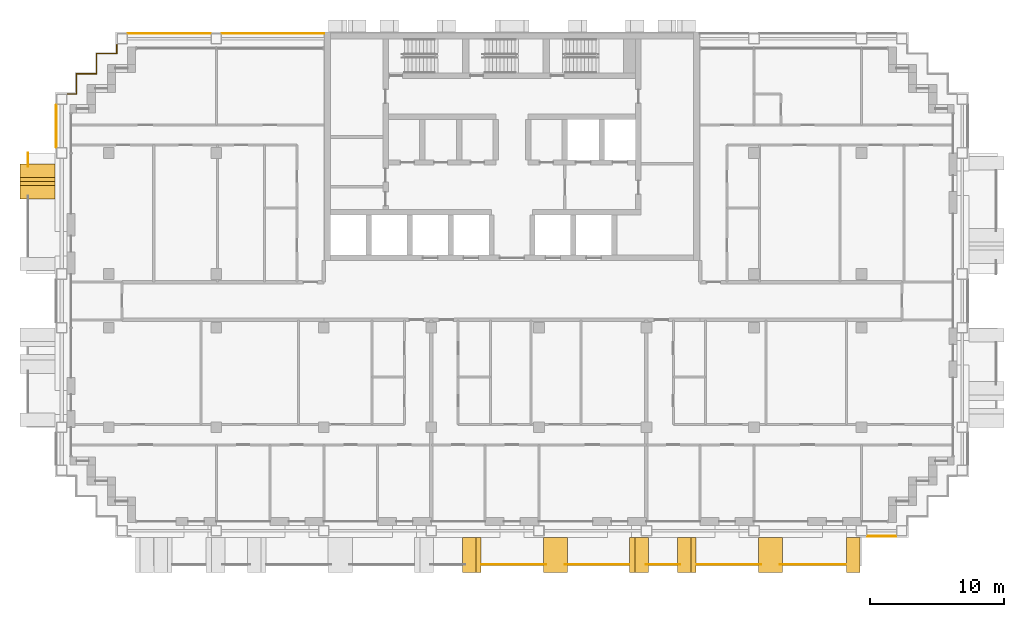
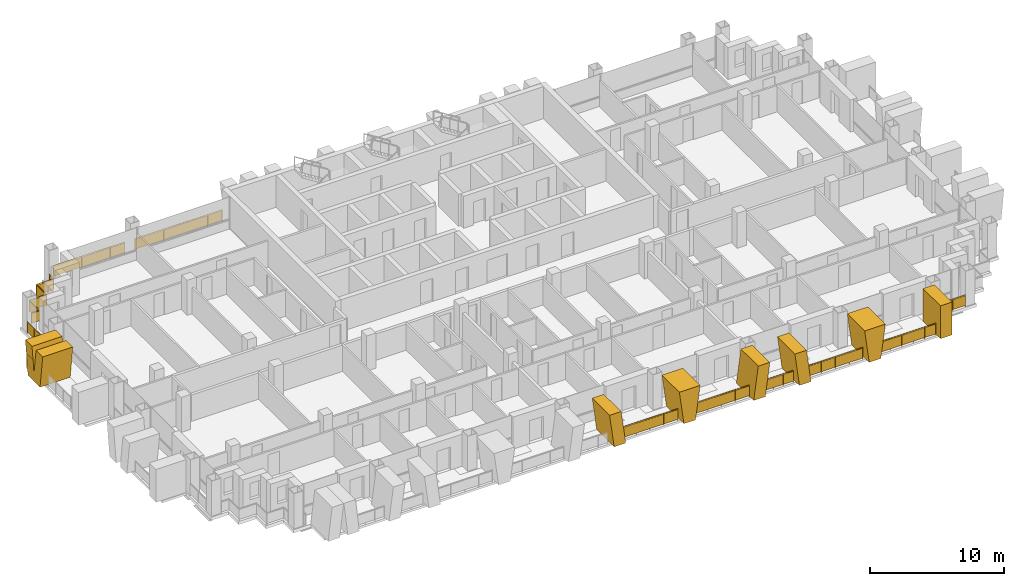
# One storey, part 14 of 16: 11 railings, 7 shading devices.
"""IFC4 building model written with IfcOpenShell, lengths in metres."""

from ifc_helpers import new_model, si_unit, direction, frame, origin, origin_2d, place, context, subcontext, project, spatial, polyline, rectangle, circle, outline, extrude, material, layer, layer_set, type_object, element, save


model = new_model("IFC4")

# Units and contexts
model_context = context("Model", 3, precision=1e-05, world=origin(), true_north=direction((0.0, 1.0)))
body_context = subcontext(model_context, "Body", "Model", "MODEL_VIEW")
ifc_project = project(units=[si_unit("LENGTHUNIT", "METRE"), si_unit("AREAUNIT", "SQUARE_METRE"), si_unit("VOLUMEUNIT", "CUBIC_METRE"), si_unit("PLANEANGLEUNIT", "RADIAN"), si_unit("MASSUNIT", "GRAM", prefix="KILO")], contexts=[model_context])

# Site, building, storey
site_placement = place(None, origin())
site = spatial("IfcSite", under=ifc_project, at=site_placement, CompositionType="ELEMENT")
building_placement = place(site_placement, origin())
building = spatial("IfcBuilding", under=site, at=building_placement, Name="Vidyagriha Tower", CompositionType="ELEMENT")
storey_placement = place(building_placement, frame((0.0, 0.0, 135.800048828125)))
storey = spatial("IfcBuildingStorey", under=building, at=storey_placement, Name="L35", CompositionType="ELEMENT", Elevation=135.800048828125)

# Railings
ifc_material_1 = material(Name="Steel ASTM A500 Grade C black painted", Category="steel")
railing_type_1 = type_object("IfcRailingType", Name="Balcony guard 1100", PredefinedType="BALUSTRADE", material=ifc_material_1)
railing_1_placement = place(storey_placement, frame((-36.0, 11.0, 0.0)))
element("IfcRailing", 1, at=railing_1_placement, inside=storey, type_object=railing_type_1, Name="Balcony guard L35 R16.1-1", PredefinedType="BALUSTRADE", context=body_context, shape_type="SweptSolid", body=[
    extrude(circle(Radius=0.02490234375, at=origin_2d()), frame((0.0, 0.0, 1.0751953125), z_axis=(0.0, -1.0, 0.0), x_axis=(1.0, 0.0, 0.0)), (0.0, 0.0, 1.0), 0.99658203125),
    extrude(circle(Radius=0.02001953125, at=origin_2d()), origin(), (0.0, 0.0, 1.0), 1.050048828125),
    extrude(circle(Radius=0.02001953125, at=origin_2d()), frame((0.0, -0.99658203125, 0.0)), (0.0, 0.0, 1.0), 1.050048828125),
    extrude(rectangle(XDim=0.010009765625, YDim=0.900146484375, at=origin_2d()), frame((0.0, 0.0, 0.550048828125), z_axis=(0.0, -1.0, 0.0), x_axis=(1.0, 0.0, 0.0)), (0.0, 0.0, 1.0), 0.99658203125),
])
railing_2_placement = place(storey_placement, frame((-2.25, -19.60009765625, 0.0)))
element("IfcRailing", 2, at=railing_2_placement, inside=storey, type_object=railing_type_1, Name="Balcony guard L35 R23.1-6", PredefinedType="BALUSTRADE", context=body_context, shape_type="SweptSolid", body=[
    extrude(circle(Radius=0.02490234375, at=origin_2d()), frame((0.0, 0.0, 1.0751953125), z_axis=(1.0, 0.0, 0.0), x_axis=(0.0, 1.0, 0.0)), (0.0, 0.0, 1.0), 4.773681640625),
    extrude(circle(Radius=0.02001953125, at=origin_2d()), origin(), (0.0, 0.0, 1.0), 1.050048828125),
    extrude(circle(Radius=0.02001953125, at=origin_2d()), frame((1.193359375, 0.0, 0.0)), (0.0, 0.0, 1.0), 1.050048828125),
    extrude(circle(Radius=0.02001953125, at=origin_2d()), frame((2.38671875, 0.0, 0.0)), (0.0, 0.0, 1.0), 1.050048828125),
    extrude(circle(Radius=0.02001953125, at=origin_2d()), frame((3.580322265625, 0.0, 0.0)), (0.0, 0.0, 1.0), 1.050048828125),
    extrude(circle(Radius=0.02001953125, at=origin_2d()), frame((4.773681640625, 0.0, 0.0)), (0.0, 0.0, 1.0), 1.050048828125),
    extrude(rectangle(XDim=0.010009765625, YDim=0.900146484375, at=origin_2d()), frame((0.0, 0.0, 0.550048828125), z_axis=(1.0, 0.0, 0.0), x_axis=(0.0, 1.0, 0.0)), (0.0, 0.0, 1.0), 4.773681640625),
])
railing_3_placement = place(storey_placement, frame((3.926513671875, -19.60009765625, 0.0)))
element("IfcRailing", 3, at=railing_3_placement, inside=storey, type_object=railing_type_1, Name="Balcony guard L35 R23.1-7", PredefinedType="BALUSTRADE", context=body_context, shape_type="SweptSolid", body=[
    extrude(circle(Radius=0.02490234375, at=origin_2d()), frame((0.0, 0.0, 1.0751953125), z_axis=(1.0, 0.0, 0.0), x_axis=(0.0, 1.0, 0.0)), (0.0, 0.0, 1.0), 4.7734375),
    extrude(circle(Radius=0.02001953125, at=origin_2d()), origin(), (0.0, 0.0, 1.0), 1.050048828125),
    extrude(circle(Radius=0.02001953125, at=origin_2d()), frame((1.193359375, 0.0, 0.0)), (0.0, 0.0, 1.0), 1.050048828125),
    extrude(circle(Radius=0.02001953125, at=origin_2d()), frame((2.38671875, 0.0, 0.0)), (0.0, 0.0, 1.0), 1.050048828125),
    extrude(circle(Radius=0.02001953125, at=origin_2d()), frame((3.580078125, 0.0, 0.0)), (0.0, 0.0, 1.0), 1.050048828125),
    extrude(circle(Radius=0.02001953125, at=origin_2d()), frame((4.7734375, 0.0, 0.0)), (0.0, 0.0, 1.0), 1.050048828125),
    extrude(rectangle(XDim=0.010009765625, YDim=0.900146484375, at=origin_2d()), frame((0.0, 0.0, 0.550048828125), z_axis=(1.0, 0.0, 0.0), x_axis=(0.0, 1.0, 0.0)), (0.0, 0.0, 1.0), 4.7734375),
])
railing_4_placement = place(storey_placement, frame((9.951416015625, -19.60009765625, 0.0)))
element("IfcRailing", 4, at=railing_4_placement, inside=storey, type_object=railing_type_1, Name="Balcony guard L35 R23.1-8", PredefinedType="BALUSTRADE", context=body_context, shape_type="SweptSolid", body=[
    extrude(circle(Radius=0.02490234375, at=origin_2d()), frame((0.0, 0.0, 1.0751953125), z_axis=(1.0, 0.0, 0.0), x_axis=(0.0, 1.0, 0.0)), (0.0, 0.0, 1.0), 2.547119140625),
    extrude(circle(Radius=0.02001953125, at=origin_2d()), origin(), (0.0, 0.0, 1.0), 1.050048828125),
    extrude(circle(Radius=0.02001953125, at=origin_2d()), frame((0.84912109375, 0.0, 0.0)), (0.0, 0.0, 1.0), 1.050048828125),
    extrude(circle(Radius=0.02001953125, at=origin_2d()), frame((1.697998046875, 0.0, 0.0)), (0.0, 0.0, 1.0), 1.050048828125),
    extrude(circle(Radius=0.02001953125, at=origin_2d()), frame((2.547119140625, 0.0, 0.0)), (0.0, 0.0, 1.0), 1.050048828125),
    extrude(rectangle(XDim=0.010009765625, YDim=0.900146484375, at=origin_2d()), frame((0.0, 0.0, 0.550048828125), z_axis=(1.0, 0.0, 0.0), x_axis=(0.0, 1.0, 0.0)), (0.0, 0.0, 1.0), 2.547119140625),
])
railing_5_placement = place(storey_placement, frame((13.75, -19.60009765625, 0.0)))
element("IfcRailing", 5, at=railing_5_placement, inside=storey, type_object=railing_type_1, Name="Balcony guard L35 R23.1-9", PredefinedType="BALUSTRADE", context=body_context, shape_type="SweptSolid", body=[
    extrude(circle(Radius=0.02490234375, at=origin_2d()), frame((0.0, 0.0, 1.0751953125), z_axis=(1.0, 0.0, 0.0), x_axis=(0.0, 1.0, 0.0)), (0.0, 0.0, 1.0), 4.773681640625),
    extrude(circle(Radius=0.02001953125, at=origin_2d()), origin(), (0.0, 0.0, 1.0), 1.050048828125),
    extrude(circle(Radius=0.02001953125, at=origin_2d()), frame((1.193359375, 0.0, 0.0)), (0.0, 0.0, 1.0), 1.050048828125),
    extrude(circle(Radius=0.02001953125, at=origin_2d()), frame((2.38671875, 0.0, 0.0)), (0.0, 0.0, 1.0), 1.050048828125),
    extrude(circle(Radius=0.02001953125, at=origin_2d()), frame((3.580322265625, 0.0, 0.0)), (0.0, 0.0, 1.0), 1.050048828125),
    extrude(circle(Radius=0.02001953125, at=origin_2d()), frame((4.773681640625, 0.0, 0.0)), (0.0, 0.0, 1.0), 1.050048828125),
    extrude(rectangle(XDim=0.010009765625, YDim=0.900146484375, at=origin_2d()), frame((0.0, 0.0, 0.550048828125), z_axis=(1.0, 0.0, 0.0), x_axis=(0.0, 1.0, 0.0)), (0.0, 0.0, 1.0), 4.773681640625),
])
railing_6_placement = place(storey_placement, frame((19.926513671875, -19.60009765625, 0.0)))
element("IfcRailing", 6, at=railing_6_placement, inside=storey, type_object=railing_type_1, Name="Balcony guard L35 R23.1-10", PredefinedType="BALUSTRADE", context=body_context, shape_type="SweptSolid", body=[
    extrude(circle(Radius=0.02490234375, at=origin_2d()), frame((0.0, 0.0, 1.0751953125), z_axis=(1.0, 0.0, 0.0), x_axis=(0.0, 1.0, 0.0)), (0.0, 0.0, 1.0), 4.8984375),
    extrude(circle(Radius=0.02001953125, at=origin_2d()), origin(), (0.0, 0.0, 1.0), 1.050048828125),
    extrude(circle(Radius=0.02001953125, at=origin_2d()), frame((0.979736328125, 0.0, 0.0)), (0.0, 0.0, 1.0), 1.050048828125),
    extrude(circle(Radius=0.02001953125, at=origin_2d()), frame((1.95947265625, 0.0, 0.0)), (0.0, 0.0, 1.0), 1.050048828125),
    extrude(circle(Radius=0.02001953125, at=origin_2d()), frame((2.93896484375, 0.0, 0.0)), (0.0, 0.0, 1.0), 1.050048828125),
    extrude(circle(Radius=0.02001953125, at=origin_2d()), frame((3.918701171875, 0.0, 0.0)), (0.0, 0.0, 1.0), 1.050048828125),
    extrude(circle(Radius=0.02001953125, at=origin_2d()), frame((4.8984375, 0.0, 0.0)), (0.0, 0.0, 1.0), 1.050048828125),
    extrude(rectangle(XDim=0.010009765625, YDim=0.900146484375, at=origin_2d()), frame((0.0, 0.0, 0.550048828125), z_axis=(1.0, 0.0, 0.0), x_axis=(0.0, 1.0, 0.0)), (0.0, 0.0, 1.0), 4.8984375),
])

# Shading devices
ifc_material_2 = material(Name="Precast concrete C40/50 with buff brick facing", Category="concrete")
ifc_layer_1 = layer(ifc_material_2, 1.0)
ifc_layer_set_1 = layer_set([ifc_layer_1], Name="Precast concrete C40/50 with buff brick facing")
shading_device_type_1 = type_object("IfcShadingDeviceType", Name="Brick-faced blade fin arm leaning 8 degrees", PredefinedType="USERDEFINED", material=ifc_layer_set_1)
for number, where, name in (
    (7, (-3.695068359375, -18.89990234375, 0.0), "Leaning blade fin L35 R23.2200a"),
    (8, (12.304931640625, -18.89990234375, 0.0), "Leaning blade fin L35 R23.3800a"),
):
    element("IfcShadingDevice", number, at=place(storey_placement, frame(where)), inside=storey, type_object=shading_device_type_1, Name=name, ObjectType="BLADE FIN", PredefinedType="USERDEFINED", context=body_context, shape_type="SweptSolid", body=[
        extrude(outline(polyline([(0.39501953125, 0.0), (1.39501953125, 0.0), (1.0, 3.0), (0.0, 3.0), (0.39501953125, 0.0)])), frame((0.0, 1.300048828125, 0.0), z_axis=(0.0, -1.0, 0.0), x_axis=(1.0, 0.0, 0.0)), (0.0, 0.0, 1.0), 2.60009765625),
    ])
shading_device_1_placement = place(storey_placement, frame((8.75, -18.89990234375, 0.0)))
element("IfcShadingDevice", 9, at=shading_device_1_placement, inside=storey, type_object=shading_device_type_1, Name="Leaning blade fin L35 R23.3800b", ObjectType="BLADE FIN", PredefinedType="USERDEFINED", context=body_context, shape_type="SweptSolid", body=[
    extrude(outline(polyline([(0.0, 0.0), (1.0, 0.0), (1.39501953125, 3.0), (0.39501953125, 3.0), (0.0, 0.0)])), frame((0.0, 1.300048828125, 0.0), z_axis=(0.0, -1.0, 0.0), x_axis=(1.0, 0.0, 0.0)), (0.0, 0.0, 1.0), 2.60009765625),
])
ifc_material_3 = material(Name="Precast concrete C40/50 with buff brick facing", Category="concrete")
ifc_layer_2 = layer(ifc_material_3, 1.0)
ifc_layer_set_2 = layer_set([ifc_layer_2], Name="Precast concrete C40/50 with buff brick facing")
shading_device_type_2 = type_object("IfcShadingDeviceType", Name="Brick-faced blade fin forking 8 degrees", PredefinedType="USERDEFINED", material=ifc_layer_set_2)
shading_device_2_placement = place(storey_placement, frame((-35.300048828125, 10.199951171875, 0.0), z_axis=(0.0, 0.0, 1.0), x_axis=(0.0, -1.0, 0.0)))
element("IfcShadingDevice", 10, at=shading_device_2_placement, inside=storey, type_object=shading_device_type_2, Name="Forked blade fin L35 R16.300a", ObjectType="BLADE FIN", PredefinedType="USERDEFINED", context=body_context, shape_type="SweptSolid", body=[
    extrude(outline(polyline([(0.39990234375, 0.0), (2.199951171875, 0.0), (2.60009765625, 3.0), (1.60009765625, 3.0), (1.300048828125, 0.75), (1.0, 3.0), (0.0, 3.0), (0.39990234375, 0.0)])), frame((0.0, 1.300048828125, 0.0), z_axis=(0.0, -1.0, 0.0), x_axis=(1.0, 0.0, 0.0)), (0.0, 0.0, 1.0), 2.60009765625),
])
for number, where, name in (
    (11, (2.330078125, -18.89990234375, 0.0), "Forked blade fin L35 R23.3000a"),
    (12, (18.330078125, -18.89990234375, 0.0), "Forked blade fin L35 R23.4600a"),
):
    element("IfcShadingDevice", number, at=place(storey_placement, frame(where)), inside=storey, type_object=shading_device_type_2, Name=name, ObjectType="BLADE FIN", PredefinedType="USERDEFINED", context=body_context, shape_type="SweptSolid", body=[
        extrude(outline(polyline([(0.39501953125, 0.0), (1.39501953125, 0.0), (1.7900390625, 3.0), (0.0, 3.0), (0.39501953125, 0.0)])), frame((0.0, 1.300048828125, 0.0), z_axis=(0.0, -1.0, 0.0), x_axis=(1.0, 0.0, 0.0)), (0.0, 0.0, 1.0), 2.60009765625),
    ])
ifc_material_4 = material(Name="Precast concrete C40/50 with buff brick facing", Category="concrete")
ifc_layer_3 = layer(ifc_material_4, 1.0)
ifc_layer_set_3 = layer_set([ifc_layer_3], Name="Precast concrete C40/50 with buff brick facing")
shading_device_type_3 = type_object("IfcShadingDeviceType", Name="Brick-faced blade fin stem 1000", PredefinedType="USERDEFINED", material=ifc_layer_set_3)
shading_device_3_placement = place(storey_placement, frame((24.875, -18.89990234375, 0.0)))
element("IfcShadingDevice", 13, at=shading_device_3_placement, inside=storey, type_object=shading_device_type_3, Name="Stem blade fin L35 R23.5400a", ObjectType="BLADE FIN", PredefinedType="USERDEFINED", context=body_context, shape_type="SweptSolid", body=[
    extrude(outline(polyline([(0.0, 0.0), (1.0, 0.0), (1.0, 3.0), (0.0, 3.0), (0.0, 0.0)])), frame((0.0, 1.300048828125, 0.0), z_axis=(0.0, -1.0, 0.0), x_axis=(1.0, 0.0, 0.0)), (0.0, 0.0, 1.0), 2.60009765625),
])

# Railings
ifc_material_5 = material(Name="Steel ASTM A500 Grade C black painted", Category="steel")
railing_type_2 = type_object("IfcRailingType", Name="Gallery guard 1100", PredefinedType="GUARDRAIL", material=ifc_material_5)
railing_7_placement = place(storey_placement, frame((-33.89990234375, 11.429931640625, 0.0)))
element("IfcRailing", 14, at=railing_7_placement, inside=storey, type_object=railing_type_2, Name="Gallery guard L35 3", PredefinedType="GUARDRAIL", context=body_context, shape_type="SweptSolid", body=[
    extrude(circle(Radius=0.02490234375, at=origin_2d()), frame((0.0, 0.0, 1.0751953125), z_axis=(0.0, 1.0, 0.0), x_axis=(-1.0, 0.0, 0.0)), (0.0, 0.0, 1.0), 3.14013671875),
    extrude(circle(Radius=0.02001953125, at=origin_2d()), origin(), (0.0, 0.0, 1.0), 1.050048828125),
    extrude(circle(Radius=0.02001953125, at=origin_2d()), frame((0.0, 1.046630859375, 0.0)), (0.0, 0.0, 1.0), 1.050048828125),
    extrude(circle(Radius=0.02001953125, at=origin_2d()), frame((0.0, 2.093505859375, 0.0)), (0.0, 0.0, 1.0), 1.050048828125),
    extrude(circle(Radius=0.02001953125, at=origin_2d()), frame((0.0, 3.14013671875, 0.0)), (0.0, 0.0, 1.0), 1.050048828125),
    extrude(rectangle(XDim=0.010009765625, YDim=0.900146484375, at=origin_2d()), frame((0.0, 0.0, 0.550048828125), z_axis=(0.0, 1.0, 0.0), x_axis=(-1.0, 0.0, 0.0)), (0.0, 0.0, 1.0), 3.14013671875),
])
railing_8_placement = place(storey_placement, frame((-33.070068359375, 15.39990234375, 0.0)))
element("IfcRailing", 15, at=railing_8_placement, inside=storey, type_object=railing_type_2, Name="Gallery guard L35 5", PredefinedType="GUARDRAIL", context=body_context, shape_type="SweptSolid", body=[
    extrude(circle(Radius=0.02490234375, at=origin_2d()), frame((0.0, 0.0, 1.0751953125), z_axis=(1.0, 0.0, 0.0), x_axis=(0.0, 1.0, 0.0)), (0.0, 0.0, 1.0), 0.670166015625),
    extrude(circle(Radius=0.02490234375, at=origin_2d()), frame((0.670166015625, 0.0, 1.0751953125), z_axis=(0.0, 1.0, 0.0), x_axis=(-1.0, 0.0, 0.0)), (0.0, 0.0, 1.0), 1.5),
    extrude(circle(Radius=0.02490234375, at=origin_2d()), frame((0.670166015625, 1.5, 1.0751953125), z_axis=(1.0, 0.0, 0.0), x_axis=(0.0, 1.0, 0.0)), (0.0, 0.0, 1.0), 1.5),
    extrude(circle(Radius=0.02490234375, at=origin_2d()), frame((2.170166015625, 1.5, 1.0751953125), z_axis=(0.0, 1.0, 0.0), x_axis=(-1.0, 0.0, 0.0)), (0.0, 0.0, 1.0), 1.5),
    extrude(circle(Radius=0.02490234375, at=origin_2d()), frame((2.170166015625, 3.0, 1.0751953125), z_axis=(1.0, 0.0, 0.0), x_axis=(0.0, 1.0, 0.0)), (0.0, 0.0, 1.0), 1.5),
    extrude(circle(Radius=0.02490234375, at=origin_2d()), frame((3.670166015625, 3.0, 1.0751953125), z_axis=(0.0, 1.0, 0.0), x_axis=(-1.0, 0.0, 0.0)), (0.0, 0.0, 1.0), 0.670166015625),
    extrude(circle(Radius=0.02001953125, at=origin_2d()), origin(), (0.0, 0.0, 1.0), 1.050048828125),
    extrude(circle(Radius=0.02001953125, at=origin_2d()), frame((0.670166015625, 0.0, 0.0)), (0.0, 0.0, 1.0), 1.050048828125),
    extrude(circle(Radius=0.02001953125, at=origin_2d()), frame((0.670166015625, 1.5, 0.0)), (0.0, 0.0, 1.0), 1.050048828125),
    extrude(circle(Radius=0.02001953125, at=origin_2d()), frame((2.170166015625, 1.5, 0.0)), (0.0, 0.0, 1.0), 1.050048828125),
    extrude(circle(Radius=0.02001953125, at=origin_2d()), frame((2.170166015625, 3.0, 0.0)), (0.0, 0.0, 1.0), 1.050048828125),
    extrude(circle(Radius=0.02001953125, at=origin_2d()), frame((3.670166015625, 3.0, 0.0)), (0.0, 0.0, 1.0), 1.050048828125),
    extrude(circle(Radius=0.02001953125, at=origin_2d()), frame((3.670166015625, 3.670166015625, 0.0)), (0.0, 0.0, 1.0), 1.050048828125),
    extrude(rectangle(XDim=0.010009765625, YDim=0.900146484375, at=origin_2d()), frame((0.0, 0.0, 0.550048828125), z_axis=(1.0, 0.0, 0.0), x_axis=(0.0, 1.0, 0.0)), (0.0, 0.0, 1.0), 0.670166015625),
    extrude(rectangle(XDim=0.010009765625, YDim=0.900146484375, at=origin_2d()), frame((0.670166015625, 0.0, 0.550048828125), z_axis=(0.0, 1.0, 0.0), x_axis=(-1.0, 0.0, 0.0)), (0.0, 0.0, 1.0), 1.5),
    extrude(rectangle(XDim=0.010009765625, YDim=0.900146484375, at=origin_2d()), frame((0.670166015625, 1.5, 0.550048828125), z_axis=(1.0, 0.0, 0.0), x_axis=(0.0, 1.0, 0.0)), (0.0, 0.0, 1.0), 1.5),
    extrude(rectangle(XDim=0.010009765625, YDim=0.900146484375, at=origin_2d()), frame((2.170166015625, 1.5, 0.550048828125), z_axis=(0.0, 1.0, 0.0), x_axis=(-1.0, 0.0, 0.0)), (0.0, 0.0, 1.0), 1.5),
    extrude(rectangle(XDim=0.010009765625, YDim=0.900146484375, at=origin_2d()), frame((2.170166015625, 3.0, 0.550048828125), z_axis=(1.0, 0.0, 0.0), x_axis=(0.0, 1.0, 0.0)), (0.0, 0.0, 1.0), 1.5),
    extrude(rectangle(XDim=0.010009765625, YDim=0.900146484375, at=origin_2d()), frame((3.670166015625, 3.0, 0.550048828125), z_axis=(0.0, 1.0, 0.0), x_axis=(-1.0, 0.0, 0.0)), (0.0, 0.0, 1.0), 0.670166015625),
])
railing_9_placement = place(storey_placement, frame((-28.570068359375, 19.89990234375, 0.0)))
element("IfcRailing", 16, at=railing_9_placement, inside=storey, type_object=railing_type_2, Name="Gallery guard L35 7", PredefinedType="GUARDRAIL", context=body_context, shape_type="SweptSolid", body=[
    extrude(circle(Radius=0.02490234375, at=origin_2d()), frame((0.0, 0.0, 1.0751953125), z_axis=(1.0, 0.0, 0.0), x_axis=(0.0, 1.0, 0.0)), (0.0, 0.0, 1.0), 6.14013671875),
    extrude(circle(Radius=0.02001953125, at=origin_2d()), origin(), (0.0, 0.0, 1.0), 1.050048828125),
    extrude(circle(Radius=0.02001953125, at=origin_2d()), frame((1.22802734375, 0.0, 0.0)), (0.0, 0.0, 1.0), 1.050048828125),
    extrude(circle(Radius=0.02001953125, at=origin_2d()), frame((2.4560546875, 0.0, 0.0)), (0.0, 0.0, 1.0), 1.050048828125),
    extrude(circle(Radius=0.02001953125, at=origin_2d()), frame((3.68408203125, 0.0, 0.0)), (0.0, 0.0, 1.0), 1.050048828125),
    extrude(circle(Radius=0.02001953125, at=origin_2d()), frame((4.912109375, 0.0, 0.0)), (0.0, 0.0, 1.0), 1.050048828125),
    extrude(circle(Radius=0.02001953125, at=origin_2d()), frame((6.14013671875, 0.0, 0.0)), (0.0, 0.0, 1.0), 1.050048828125),
    extrude(rectangle(XDim=0.010009765625, YDim=0.900146484375, at=origin_2d()), frame((0.0, 0.0, 0.550048828125), z_axis=(1.0, 0.0, 0.0), x_axis=(0.0, 1.0, 0.0)), (0.0, 0.0, 1.0), 6.14013671875),
])
railing_10_placement = place(storey_placement, frame((-21.570068359375, 19.89990234375, 0.0)))
element("IfcRailing", 17, at=railing_10_placement, inside=storey, type_object=railing_type_2, Name="Gallery guard L35 8", PredefinedType="GUARDRAIL", context=body_context, shape_type="SweptSolid", body=[
    extrude(circle(Radius=0.02490234375, at=origin_2d()), frame((0.0, 0.0, 1.0751953125), z_axis=(1.0, 0.0, 0.0), x_axis=(0.0, 1.0, 0.0)), (0.0, 0.0, 1.0), 7.590087890625),
    extrude(circle(Radius=0.02001953125, at=origin_2d()), origin(), (0.0, 0.0, 1.0), 1.050048828125),
    extrude(circle(Radius=0.02001953125, at=origin_2d()), frame((1.26513671875, 0.0, 0.0)), (0.0, 0.0, 1.0), 1.050048828125),
    extrude(circle(Radius=0.02001953125, at=origin_2d()), frame((2.530029296875, 0.0, 0.0)), (0.0, 0.0, 1.0), 1.050048828125),
    extrude(circle(Radius=0.02001953125, at=origin_2d()), frame((3.794921875, 0.0, 0.0)), (0.0, 0.0, 1.0), 1.050048828125),
    extrude(circle(Radius=0.02001953125, at=origin_2d()), frame((5.06005859375, 0.0, 0.0)), (0.0, 0.0, 1.0), 1.050048828125),
    extrude(circle(Radius=0.02001953125, at=origin_2d()), frame((6.3251953125, 0.0, 0.0)), (0.0, 0.0, 1.0), 1.050048828125),
    extrude(circle(Radius=0.02001953125, at=origin_2d()), frame((7.590087890625, 0.0, 0.0)), (0.0, 0.0, 1.0), 1.050048828125),
    extrude(rectangle(XDim=0.010009765625, YDim=0.900146484375, at=origin_2d()), frame((0.0, 0.0, 0.550048828125), z_axis=(1.0, 0.0, 0.0), x_axis=(0.0, 1.0, 0.0)), (0.0, 0.0, 1.0), 7.590087890625),
])
railing_11_placement = place(storey_placement, frame((28.570068359375, -17.5, 0.0)))
element("IfcRailing", 18, at=railing_11_placement, inside=storey, type_object=railing_type_2, Name="Gallery guard L35 11", PredefinedType="GUARDRAIL", context=body_context, shape_type="SweptSolid", body=[
    extrude(circle(Radius=0.02490234375, at=origin_2d()), frame((0.0, 0.0, 1.0751953125), z_axis=(-1.0, 0.0, 0.0), x_axis=(0.0, -1.0, 0.0)), (0.0, 0.0, 1.0), 2.14013671875),
    extrude(circle(Radius=0.02001953125, at=origin_2d()), origin(), (0.0, 0.0, 1.0), 1.050048828125),
    extrude(circle(Radius=0.02001953125, at=origin_2d()), frame((-1.070068359375, 0.0, 0.0)), (0.0, 0.0, 1.0), 1.050048828125),
    extrude(circle(Radius=0.02001953125, at=origin_2d()), frame((-2.14013671875, 0.0, 0.0)), (0.0, 0.0, 1.0), 1.050048828125),
    extrude(rectangle(XDim=0.010009765625, YDim=0.900146484375, at=origin_2d()), frame((0.0, 0.0, 0.550048828125), z_axis=(-1.0, 0.0, 0.0), x_axis=(0.0, -1.0, 0.0)), (0.0, 0.0, 1.0), 2.14013671875),
])

save(model, "model.ifc")
